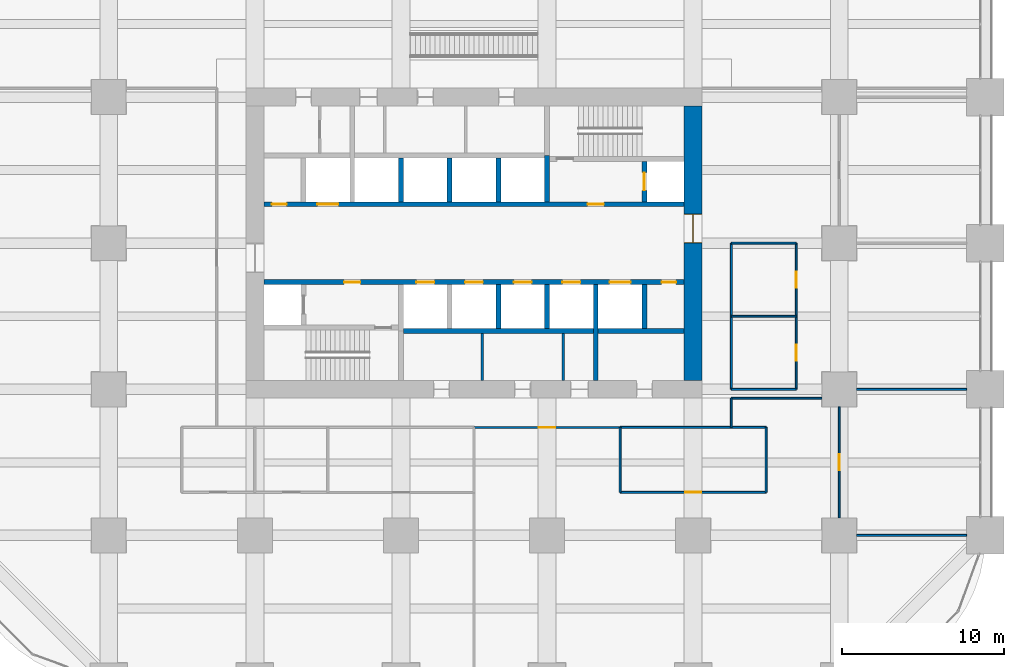
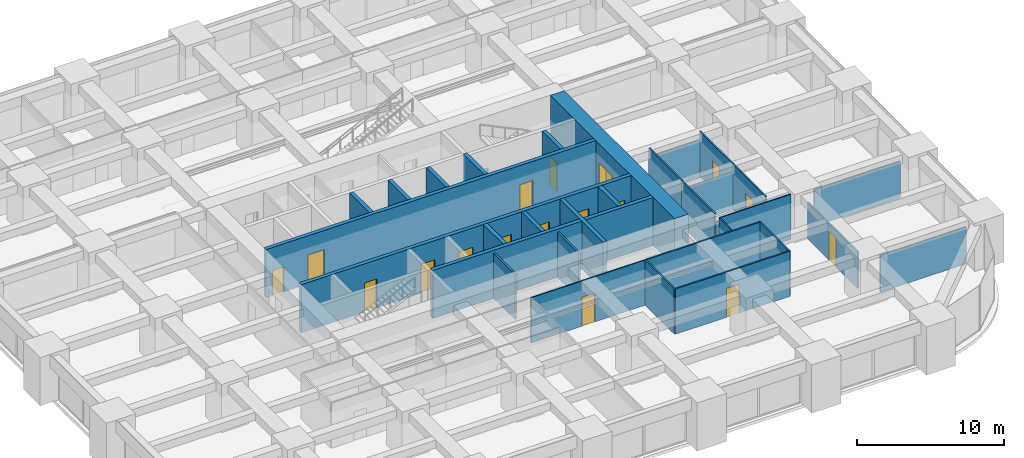
# One storey, part 40 of 44: 32 walls, 17 doors, 17 openings.
"""IFC4 building model written with IfcOpenShell, lengths in metres."""

from ifc_helpers import new_model, si_unit, direction, frame, frame_2d, origin, place, context, subcontext, project, spatial, rectangle, extrude, material, layer, layer_set, type_object, element, fill, save


model = new_model("IFC4")

# Units and contexts
model_context = context("Model", 3, precision=1e-05, world=origin(), true_north=direction((0.0, 1.0)))
body_context = subcontext(model_context, "Body", "Model", "MODEL_VIEW")
ifc_project = project(units=[si_unit("LENGTHUNIT", "METRE"), si_unit("AREAUNIT", "SQUARE_METRE"), si_unit("VOLUMEUNIT", "CUBIC_METRE"), si_unit("PLANEANGLEUNIT", "RADIAN"), si_unit("MASSUNIT", "GRAM", prefix="KILO")], contexts=[model_context])

# Site, building, storey
site_placement = place(None, origin())
site = spatial("IfcSite", under=ifc_project, at=site_placement, CompositionType="ELEMENT")
building_placement = place(site_placement, origin())
building = spatial("IfcBuilding", under=site, at=building_placement, Name="Zorevar Civic Tower", CompositionType="ELEMENT")
storey_placement = place(building_placement, frame((0.0, 0.0, 59.800048828125)))
storey = spatial("IfcBuildingStorey", under=building, at=storey_placement, Name="L14", CompositionType="ELEMENT", Elevation=59.800048828125)

# Wall, opening, door
ifc_material_1 = material(Name="Concrete C50/60", Category="concrete")
ifc_layer_1 = layer(ifc_material_1, 1.10009765625)
ifc_layer_set_1 = layer_set([ifc_layer_1], Name="Core wall 1100")
wall_type_1 = type_object("IfcWallType", Name="Core wall 1100", PredefinedType="SHEAR", material=ifc_layer_set_1)
wall_1_placement = place(storey_placement, frame((45.0, 18.550048828125, 0.0), z_axis=(0.0, 0.0, 1.0), x_axis=(0.0, 1.0, 0.0)))
wall_1 = element("IfcWall", 1, at=wall_1_placement, inside=storey, type_object=wall_type_1, Name="Core wall E L14", PredefinedType="SHEAR", context=body_context, shape_type="SweptSolid", body=[
    extrude(rectangle(XDim=16.89990234375, YDim=1.10009765625, at=frame_2d((8.449951171875, 0.0))), origin(), (0.0, 0.0, 1.0), 4.0),
])
opening_1_placement = place(wall_1_placement, frame((8.449951171875, 0.0, 0.0)))
opening_1 = element("IfcOpeningElement", 2, at=opening_1_placement, cuts=wall_1, Name="Opening L14.02", PredefinedType="OPENING", context=body_context, shape_type="SweptSolid", body=[
    extrude(rectangle(XDim=1.800048828125, YDim=2.39990234375, at=frame_2d((0.89990234375, 1.199951171875))), frame((0.0, 0.56005859375, 0.0), z_axis=(0.0, -1.0, 0.0), x_axis=(1.0, 0.0, 0.0)), (0.0, 0.0, 1.0), 1.1201171875),
])
ifc_material_2 = material(Name="Steel door set", Category="steel")
door_type_1 = type_object("IfcDoorType", Name="Fire door FD2 1800x2400", OperationType="DOUBLE_DOOR_DOUBLE_SWING", PredefinedType="DOOR", material=ifc_material_2)
door_1_placement = place(opening_1_placement, origin())
door_1 = element("IfcDoor", 3, at=door_1_placement, inside=storey, type_object=door_type_1, Name="Door L14 01", OperationType="DOUBLE_DOOR_DOUBLE_SWING", OverallHeight=2.39990234375, OverallWidth=1.800048828125, PredefinedType="DOOR", context=body_context, shape_type="SweptSolid", body=[
    extrude(rectangle(XDim=1.800048828125, YDim=2.39990234375, at=frame_2d((0.89990234375, 1.199951171875))), frame((0.0, 0.030029296875, 0.0), z_axis=(0.0, -1.0, 0.0), x_axis=(1.0, 0.0, 0.0)), (0.0, 0.0, 1.0), 0.06005859375),
    extrude(rectangle(XDim=0.04, YDim=2.39990234375, at=frame_2d((0.02001953125, 1.199951171875))), frame((0.0, 0.5498046875, 0.0), z_axis=(0.0, -1.0, 0.0), x_axis=(1.0, 0.0, 0.0)), (0.0, 0.0, 1.0), 1.099609375),
    extrude(rectangle(XDim=0.04, YDim=2.39990234375, at=frame_2d((1.780029296875, 1.199951171875))), frame((0.0, 0.5498046875, 0.0), z_axis=(0.0, -1.0, 0.0), x_axis=(1.0, 0.0, 0.0)), (0.0, 0.0, 1.0), 1.099609375),
    extrude(rectangle(XDim=1.800048828125, YDim=0.04, at=frame_2d((0.89990234375, 2.3798828125))), frame((0.0, 0.5498046875, 0.0), z_axis=(0.0, -1.0, 0.0), x_axis=(1.0, 0.0, 0.0)), (0.0, 0.0, 1.0), 1.099609375),
])
fill(opening_1, door_1)

ifc_material_3 = material(Name="Laminated glass in black aluminium frame", Category="aluminium")
ifc_layer_2 = layer(ifc_material_3, 0.10009765625)
ifc_layer_set_2 = layer_set([ifc_layer_2], Name="Glazed partition 100")
wall_type_2 = type_object("IfcWallType", Name="Glazed partition 100", PredefinedType="PARTITIONING", material=ifc_layer_set_2)
wall_2_placement = place(storey_placement, frame((31.5, 15.64990234375, 0.0), z_axis=(0.0, 0.0, 1.0), x_axis=(1.0, 0.0, 0.0)))
wall_2 = element("IfcWall", 4, at=wall_2_placement, inside=storey, type_object=wall_type_2, Name="Glazed partition 100 L14", PredefinedType="PARTITIONING", context=body_context, shape_type="SweptSolid", body=[
    extrude(rectangle(XDim=9.0, YDim=0.10009765625, at=frame_2d((4.5, 0.0))), origin(), (0.0, 0.0, 1.0), 3.75),
])
opening_2_placement = place(wall_2_placement, frame((4.0, 0.0, 0.0)))
opening_2 = element("IfcOpeningElement", 5, at=opening_2_placement, cuts=wall_2, Name="Opening L14.21", PredefinedType="OPENING", context=body_context, shape_type="SweptSolid", body=[
    extrude(rectangle(XDim=1.0, YDim=2.39990234375, at=frame_2d((0.5, 1.199951171875))), frame((0.0, 0.06005859375, 0.0), z_axis=(0.0, -1.0, 0.0), x_axis=(1.0, 0.0, 0.0)), (0.0, 0.0, 1.0), 0.1201171875),
])
ifc_material_4 = material(Name="Timber door set", Category="wood")
door_type_2 = type_object("IfcDoorType", Name="Glazed door GD1 1000x2400", OperationType="SINGLE_SWING_LEFT", PredefinedType="DOOR", material=ifc_material_4)
door_2_placement = place(opening_2_placement, origin())
door_2 = element("IfcDoor", 6, at=door_2_placement, inside=storey, type_object=door_type_2, Name="Door L14 D1", OperationType="SINGLE_SWING_LEFT", OverallHeight=2.39990234375, OverallWidth=1.0, PredefinedType="DOOR", context=body_context, shape_type="SweptSolid", body=[
    extrude(rectangle(XDim=1.0, YDim=2.39990234375, at=frame_2d((0.5, 1.199951171875))), frame((0.0, 0.02001953125, 0.0), z_axis=(0.0, -1.0, 0.0), x_axis=(1.0, 0.0, 0.0)), (0.0, 0.0, 1.0), 0.0400390625),
])
fill(opening_2, door_2)

# Walls
wall_3_placement = place(storey_placement, frame((47.35009765625, 17.449951171875, 0.0), z_axis=(0.0, 0.0, 1.0), x_axis=(1.0, 0.0, 0.0)))
element("IfcWall", 7, at=wall_3_placement, inside=storey, type_object=wall_type_2, Name="Glazed partition 100 L14", PredefinedType="PARTITIONING", context=body_context, shape_type="SweptSolid", body=[
    extrude(rectangle(XDim=5.574951171875, YDim=0.10009765625, at=frame_2d((2.78759765625, 0.0))), origin(), (0.0, 0.0, 1.0), 3.75),
])
wall_4_placement = place(storey_placement, frame((47.35009765625, 15.64990234375, 0.0), z_axis=(0.0, 0.0, 1.0), x_axis=(0.0, 1.0, 0.0)))
element("IfcWall", 8, at=wall_4_placement, inside=storey, type_object=wall_type_2, Name="Glazed partition 100 L14", PredefinedType="PARTITIONING", context=body_context, shape_type="SweptSolid", body=[
    extrude(rectangle(XDim=1.800048828125, YDim=0.10009765625, at=frame_2d((0.89990234375, 0.0))), origin(), (0.0, 0.0, 1.0), 3.75),
])

# Wall, opening, door
ifc_material_5 = material(Name="Concrete C40/50", Category="concrete")
ifc_layer_3 = layer(ifc_material_5, 0.300048828125)
ifc_layer_set_3 = layer_set([ifc_layer_3], Name="Inner core wall 300")
wall_type_3 = type_object("IfcWallType", Name="Inner core wall 300", PredefinedType="SHEAR", material=ifc_layer_set_3)
wall_5_placement = place(storey_placement, frame((42.0, 29.550048828125, 0.0), z_axis=(0.0, 0.0, 1.0), x_axis=(0.0, 1.0, 0.0)))
wall_5 = element("IfcWall", 9, at=wall_5_placement, inside=storey, type_object=wall_type_3, Name="Inner core wall N02 L14", PredefinedType="SHEAR", context=body_context, shape_type="SweptSolid", body=[
    extrude(rectangle(XDim=2.5, YDim=0.300048828125, at=frame_2d((1.25, 0.0))), origin(), (0.0, 0.0, 1.0), 4.0),
])
opening_3_placement = place(wall_5_placement, frame((0.699951171875, 0.0, 0.0)))
opening_3 = element("IfcOpeningElement", 10, at=opening_3_placement, cuts=wall_5, Name="Opening L14.FL2", PredefinedType="OPENING", context=body_context, shape_type="SweptSolid", body=[
    extrude(rectangle(XDim=1.10009765625, YDim=2.39990234375, at=frame_2d((0.550048828125, 1.199951171875))), frame((0.0, 0.159912109375, 0.0), z_axis=(0.0, -1.0, 0.0), x_axis=(1.0, 0.0, 0.0)), (0.0, 0.0, 1.0), 0.320068359375),
])
ifc_material_6 = material(Name="Steel door set", Category="steel")
door_type_3 = type_object("IfcDoorType", Name="Firefighting lift landing door LD3 1100x2400", OperationType="DOUBLE_DOOR_SLIDING", PredefinedType="DOOR", material=ifc_material_6)
door_3_placement = place(opening_3_placement, origin())
door_3 = element("IfcDoor", 11, at=door_3_placement, inside=storey, type_object=door_type_3, Name="Landing door FL2 L14", OperationType="DOUBLE_DOOR_SLIDING", OverallHeight=2.39990234375, OverallWidth=1.10009765625, PredefinedType="DOOR", context=body_context, shape_type="SweptSolid", body=[
    extrude(rectangle(XDim=1.10009765625, YDim=2.39990234375, at=frame_2d((0.550048828125, 1.199951171875))), frame((0.0, 0.030029296875, 0.0), z_axis=(0.0, -1.0, 0.0), x_axis=(1.0, 0.0, 0.0)), (0.0, 0.0, 1.0), 0.06005859375),
])
fill(opening_3, door_3)

# Wall, openings, doors
wall_6_placement = place(storey_placement, frame((18.550048828125, 24.60009765625, 0.0), z_axis=(0.0, 0.0, 1.0), x_axis=(1.0, 0.0, 0.0)))
wall_6 = element("IfcWall", 12, at=wall_6_placement, inside=storey, type_object=wall_type_3, Name="Inner core wall S03 L14", PredefinedType="SHEAR", context=body_context, shape_type="SweptSolid", body=[
    extrude(rectangle(XDim=25.89990234375, YDim=0.300048828125, at=frame_2d((12.949951171875, 0.0))), origin(), (0.0, 0.0, 1.0), 4.0),
])
opening_4_placement = place(wall_6_placement, frame((4.949951171875, 0.0, 0.0)))
opening_4 = element("IfcOpeningElement", 13, at=opening_4_placement, cuts=wall_6, Name="Opening L14.13", PredefinedType="OPENING", context=body_context, shape_type="SweptSolid", body=[
    extrude(rectangle(XDim=1.0, YDim=2.39990234375, at=frame_2d((0.5, 1.199951171875))), frame((0.0, 0.159912109375, 0.0), z_axis=(0.0, -1.0, 0.0), x_axis=(1.0, 0.0, 0.0)), (0.0, 0.0, 1.0), 0.320068359375),
])
opening_5_placement = place(wall_6_placement, frame((24.5, 0.0, 0.0)))
opening_5 = element("IfcOpeningElement", 14, at=opening_5_placement, cuts=wall_6, Name="Opening L14.15", PredefinedType="OPENING", context=body_context, shape_type="SweptSolid", body=[
    extrude(rectangle(XDim=0.89990234375, YDim=2.10009765625, at=frame_2d((0.449951171875, 1.050048828125))), frame((0.0, 0.159912109375, 0.0), z_axis=(0.0, -1.0, 0.0), x_axis=(1.0, 0.0, 0.0)), (0.0, 0.0, 1.0), 0.320068359375),
])
opening_6_placement = place(wall_6_placement, frame((9.39990234375, 0.0, 0.0)))
opening_6 = element("IfcOpeningElement", 15, at=opening_6_placement, cuts=wall_6, Name="Opening L14.LP1", PredefinedType="OPENING", context=body_context, shape_type="SweptSolid", body=[
    extrude(rectangle(XDim=1.10009765625, YDim=2.39990234375, at=frame_2d((0.550048828125, 1.199951171875))), frame((0.0, 0.159912109375, 0.0), z_axis=(0.0, -1.0, 0.0), x_axis=(1.0, 0.0, 0.0)), (0.0, 0.0, 1.0), 0.320068359375),
])
opening_7_placement = place(wall_6_placement, frame((12.39990234375, 0.0, 0.0)))
opening_7 = element("IfcOpeningElement", 16, at=opening_7_placement, cuts=wall_6, Name="Opening L14.LP2", PredefinedType="OPENING", context=body_context, shape_type="SweptSolid", body=[
    extrude(rectangle(XDim=1.10009765625, YDim=2.39990234375, at=frame_2d((0.550048828125, 1.199951171875))), frame((0.0, 0.159912109375, 0.0), z_axis=(0.0, -1.0, 0.0), x_axis=(1.0, 0.0, 0.0)), (0.0, 0.0, 1.0), 0.320068359375),
])
opening_8_placement = place(wall_6_placement, frame((15.39990234375, 0.0, 0.0)))
opening_8 = element("IfcOpeningElement", 17, at=opening_8_placement, cuts=wall_6, Name="Opening L14.LP3", PredefinedType="OPENING", context=body_context, shape_type="SweptSolid", body=[
    extrude(rectangle(XDim=1.10009765625, YDim=2.39990234375, at=frame_2d((0.550048828125, 1.199951171875))), frame((0.0, 0.159912109375, 0.0), z_axis=(0.0, -1.0, 0.0), x_axis=(1.0, 0.0, 0.0)), (0.0, 0.0, 1.0), 0.320068359375),
])
opening_9_placement = place(wall_6_placement, frame((18.39990234375, 0.0, 0.0)))
opening_9 = element("IfcOpeningElement", 18, at=opening_9_placement, cuts=wall_6, Name="Opening L14.LP4", PredefinedType="OPENING", context=body_context, shape_type="SweptSolid", body=[
    extrude(rectangle(XDim=1.10009765625, YDim=2.39990234375, at=frame_2d((0.550048828125, 1.199951171875))), frame((0.0, 0.159912109375, 0.0), z_axis=(0.0, -1.0, 0.0), x_axis=(1.0, 0.0, 0.0)), (0.0, 0.0, 1.0), 0.320068359375),
])
opening_10_placement = place(wall_6_placement, frame((21.300048828125, 0.0, 0.0)))
opening_10 = element("IfcOpeningElement", 19, at=opening_10_placement, cuts=wall_6, Name="Opening L14.SL1", PredefinedType="OPENING", context=body_context, shape_type="SweptSolid", body=[
    extrude(rectangle(XDim=1.300048828125, YDim=2.39990234375, at=frame_2d((0.64990234375, 1.199951171875))), frame((0.0, 0.159912109375, 0.0), z_axis=(0.0, -1.0, 0.0), x_axis=(1.0, 0.0, 0.0)), (0.0, 0.0, 1.0), 0.320068359375),
])
ifc_material_7 = material(Name="Steel door set", Category="steel")
door_type_4 = type_object("IfcDoorType", Name="Fire door FD1 1000x2400", OperationType="SINGLE_SWING_LEFT", PredefinedType="DOOR", material=ifc_material_7)
door_4_placement = place(opening_4_placement, origin())
door_4 = element("IfcDoor", 20, at=door_4_placement, inside=storey, type_object=door_type_4, Name="Door L14 12", OperationType="SINGLE_SWING_RIGHT", OverallHeight=2.39990234375, OverallWidth=1.0, PredefinedType="DOOR", context=body_context, shape_type="SweptSolid", body=[
    extrude(rectangle(XDim=1.0, YDim=2.39990234375, at=frame_2d((0.5, 1.199951171875))), frame((0.0, 0.030029296875, 0.0), z_axis=(0.0, -1.0, 0.0), x_axis=(1.0, 0.0, 0.0)), (0.0, 0.0, 1.0), 0.06005859375),
])
fill(opening_4, door_4)
ifc_material_8 = material(Name="Steel door set", Category="steel")
door_type_5 = type_object("IfcDoorType", Name="Landing door LD1 1100x2400", OperationType="DOUBLE_DOOR_SLIDING", PredefinedType="DOOR", material=ifc_material_8)
door_5_placement = place(opening_6_placement, origin())
door_5 = element("IfcDoor", 21, at=door_5_placement, inside=storey, type_object=door_type_5, Name="Landing door LP1 L14", OperationType="DOUBLE_DOOR_SLIDING", OverallHeight=2.39990234375, OverallWidth=1.10009765625, PredefinedType="DOOR", context=body_context, shape_type="SweptSolid", body=[
    extrude(rectangle(XDim=1.10009765625, YDim=2.39990234375, at=frame_2d((0.550048828125, 1.199951171875))), frame((0.0, 0.02001953125, 0.0), z_axis=(0.0, -1.0, 0.0), x_axis=(1.0, 0.0, 0.0)), (0.0, 0.0, 1.0), 0.0400390625),
])
fill(opening_6, door_5)
door_6_placement = place(opening_7_placement, origin())
door_6 = element("IfcDoor", 22, at=door_6_placement, inside=storey, type_object=door_type_5, Name="Landing door LP2 L14", OperationType="DOUBLE_DOOR_SLIDING", OverallHeight=2.39990234375, OverallWidth=1.10009765625, PredefinedType="DOOR", context=body_context, shape_type="SweptSolid", body=[
    extrude(rectangle(XDim=1.10009765625, YDim=2.39990234375, at=frame_2d((0.550048828125, 1.199951171875))), frame((0.0, 0.02001953125, 0.0), z_axis=(0.0, -1.0, 0.0), x_axis=(1.0, 0.0, 0.0)), (0.0, 0.0, 1.0), 0.0400390625),
])
fill(opening_7, door_6)
door_7_placement = place(opening_8_placement, origin())
door_7 = element("IfcDoor", 23, at=door_7_placement, inside=storey, type_object=door_type_5, Name="Landing door LP3 L14", OperationType="DOUBLE_DOOR_SLIDING", OverallHeight=2.39990234375, OverallWidth=1.10009765625, PredefinedType="DOOR", context=body_context, shape_type="SweptSolid", body=[
    extrude(rectangle(XDim=1.10009765625, YDim=2.39990234375, at=frame_2d((0.550048828125, 1.199951171875))), frame((0.0, 0.02001953125, 0.0), z_axis=(0.0, -1.0, 0.0), x_axis=(1.0, 0.0, 0.0)), (0.0, 0.0, 1.0), 0.0400390625),
])
fill(opening_8, door_7)
door_8_placement = place(opening_9_placement, origin())
door_8 = element("IfcDoor", 24, at=door_8_placement, inside=storey, type_object=door_type_5, Name="Landing door LP4 L14", OperationType="DOUBLE_DOOR_SLIDING", OverallHeight=2.39990234375, OverallWidth=1.10009765625, PredefinedType="DOOR", context=body_context, shape_type="SweptSolid", body=[
    extrude(rectangle(XDim=1.10009765625, YDim=2.39990234375, at=frame_2d((0.550048828125, 1.199951171875))), frame((0.0, 0.02001953125, 0.0), z_axis=(0.0, -1.0, 0.0), x_axis=(1.0, 0.0, 0.0)), (0.0, 0.0, 1.0), 0.0400390625),
])
fill(opening_9, door_8)
ifc_material_9 = material(Name="Steel door set", Category="steel")
door_type_6 = type_object("IfcDoorType", Name="Landing door LD2 1300x2400", OperationType="DOUBLE_DOOR_SLIDING", PredefinedType="DOOR", material=ifc_material_9)
door_9_placement = place(opening_10_placement, origin())
door_9 = element("IfcDoor", 25, at=door_9_placement, inside=storey, type_object=door_type_6, Name="Landing door SL1 L14", OperationType="DOUBLE_DOOR_SLIDING", OverallHeight=2.39990234375, OverallWidth=1.300048828125, PredefinedType="DOOR", context=body_context, shape_type="SweptSolid", body=[
    extrude(rectangle(XDim=1.300048828125, YDim=2.39990234375, at=frame_2d((0.64990234375, 1.199951171875))), frame((0.0, 0.02001953125, 0.0), z_axis=(0.0, -1.0, 0.0), x_axis=(1.0, 0.0, 0.0)), (0.0, 0.0, 1.0), 0.0400390625),
])
fill(opening_10, door_9)
ifc_material_10 = material(Name="Steel door set", Category="steel")
door_type_7 = type_object("IfcDoorType", Name="Riser door RD1 900x2100", OperationType="SINGLE_SWING_LEFT", PredefinedType="DOOR", material=ifc_material_10)
door_10_placement = place(opening_5_placement, origin())
door_10 = element("IfcDoor", 26, at=door_10_placement, inside=storey, type_object=door_type_7, Name="Door L14 14", OperationType="SINGLE_SWING_RIGHT", OverallHeight=2.10009765625, OverallWidth=0.89990234375, PredefinedType="DOOR", context=body_context, shape_type="SweptSolid", body=[
    extrude(rectangle(XDim=0.89990234375, YDim=2.10009765625, at=frame_2d((0.449951171875, 1.050048828125))), frame((0.0, 0.030029296875, 0.0), z_axis=(0.0, -1.0, 0.0), x_axis=(1.0, 0.0, 0.0)), (0.0, 0.0, 1.0), 0.06005859375),
])
fill(opening_5, door_10)

wall_7_placement = place(storey_placement, frame((18.550048828125, 29.39990234375, 0.0), z_axis=(0.0, 0.0, 1.0), x_axis=(1.0, 0.0, 0.0)))
wall_7 = element("IfcWall", 27, at=wall_7_placement, inside=storey, type_object=wall_type_3, Name="Inner core wall N03 L14", PredefinedType="SHEAR", context=body_context, shape_type="SweptSolid", body=[
    extrude(rectangle(XDim=25.89990234375, YDim=0.300048828125, at=frame_2d((12.949951171875, 0.0))), origin(), (0.0, 0.0, 1.0), 4.0),
])
opening_11_placement = place(wall_7_placement, frame((19.949951171875, 0.0, 0.0)))
opening_11 = element("IfcOpeningElement", 28, at=opening_11_placement, cuts=wall_7, Name="Opening L14.14", PredefinedType="OPENING", context=body_context, shape_type="SweptSolid", body=[
    extrude(rectangle(XDim=1.0, YDim=2.39990234375, at=frame_2d((0.5, 1.199951171875))), frame((0.0, 0.159912109375, 0.0), z_axis=(0.0, -1.0, 0.0), x_axis=(1.0, 0.0, 0.0)), (0.0, 0.0, 1.0), 0.320068359375),
])
opening_12_placement = place(wall_7_placement, frame((0.5, 0.0, 0.0)))
opening_12 = element("IfcOpeningElement", 29, at=opening_12_placement, cuts=wall_7, Name="Opening L14.16", PredefinedType="OPENING", context=body_context, shape_type="SweptSolid", body=[
    extrude(rectangle(XDim=0.89990234375, YDim=2.10009765625, at=frame_2d((0.449951171875, 1.050048828125))), frame((0.0, 0.159912109375, 0.0), z_axis=(0.0, -1.0, 0.0), x_axis=(1.0, 0.0, 0.0)), (0.0, 0.0, 1.0), 0.320068359375),
])
opening_13_placement = place(wall_7_placement, frame((3.300048828125, 0.0, 0.0)))
opening_13 = element("IfcOpeningElement", 30, at=opening_13_placement, cuts=wall_7, Name="Opening L14.SL2", PredefinedType="OPENING", context=body_context, shape_type="SweptSolid", body=[
    extrude(rectangle(XDim=1.300048828125, YDim=2.39990234375, at=frame_2d((0.64990234375, 1.199951171875))), frame((0.0, 0.159912109375, 0.0), z_axis=(0.0, -1.0, 0.0), x_axis=(1.0, 0.0, 0.0)), (0.0, 0.0, 1.0), 0.320068359375),
])
door_11_placement = place(opening_11_placement, origin())
door_11 = element("IfcDoor", 31, at=door_11_placement, inside=storey, type_object=door_type_4, Name="Door L14 13", OperationType="SINGLE_SWING_RIGHT", OverallHeight=2.39990234375, OverallWidth=1.0, PredefinedType="DOOR", context=body_context, shape_type="SweptSolid", body=[
    extrude(rectangle(XDim=1.0, YDim=2.39990234375, at=frame_2d((0.5, 1.199951171875))), frame((0.0, 0.030029296875, 0.0), z_axis=(0.0, -1.0, 0.0), x_axis=(1.0, 0.0, 0.0)), (0.0, 0.0, 1.0), 0.06005859375),
])
fill(opening_11, door_11)
door_12_placement = place(opening_13_placement, origin())
door_12 = element("IfcDoor", 32, at=door_12_placement, inside=storey, type_object=door_type_6, Name="Landing door SL2 L14", OperationType="DOUBLE_DOOR_SLIDING", OverallHeight=2.39990234375, OverallWidth=1.300048828125, PredefinedType="DOOR", context=body_context, shape_type="SweptSolid", body=[
    extrude(rectangle(XDim=1.300048828125, YDim=2.39990234375, at=frame_2d((0.64990234375, 1.199951171875))), frame((0.0, 0.02001953125, 0.0), z_axis=(0.0, -1.0, 0.0), x_axis=(1.0, 0.0, 0.0)), (0.0, 0.0, 1.0), 0.0400390625),
])
fill(opening_13, door_12)
door_13_placement = place(opening_12_placement, origin())
door_13 = element("IfcDoor", 33, at=door_13_placement, inside=storey, type_object=door_type_7, Name="Door L14 15", OperationType="SINGLE_SWING_RIGHT", OverallHeight=2.10009765625, OverallWidth=0.89990234375, PredefinedType="DOOR", context=body_context, shape_type="SweptSolid", body=[
    extrude(rectangle(XDim=0.89990234375, YDim=2.10009765625, at=frame_2d((0.449951171875, 1.050048828125))), frame((0.0, 0.030029296875, 0.0), z_axis=(0.0, -1.0, 0.0), x_axis=(1.0, 0.0, 0.0)), (0.0, 0.0, 1.0), 0.06005859375),
])
fill(opening_12, door_13)

# Walls
wall_8_placement = place(storey_placement, frame((27.14990234375, 21.60009765625, 0.0), z_axis=(0.0, 0.0, 1.0), x_axis=(1.0, 0.0, 0.0)))
element("IfcWall", 34, at=wall_8_placement, inside=storey, type_object=wall_type_3, Name="Inner core wall S04 L14", PredefinedType="SHEAR", context=body_context, shape_type="SweptSolid", body=[
    extrude(rectangle(XDim=17.300048828125, YDim=0.300048828125, at=frame_2d((8.64990234375, 0.0))), origin(), (0.0, 0.0, 1.0), 4.0),
])
for number, where, z_axis, x_axis, name in (
    (35, (33.0, 29.550048828125, 0.0), (0.0, 0.0, 1.0), (0.0, 1.0, 0.0), "Inner core wall N05 L14"),
    (36, (33.0, 21.75, 0.0), (0.0, 0.0, 1.0), (0.0, 1.0, 0.0), "Inner core wall S06 L14"),
    (37, (30.0, 29.550048828125, 0.0), (0.0, 0.0, 1.0), (0.0, 1.0, 0.0), "Inner core wall N06 L14"),
    (38, (36.0, 21.75, 0.0), (0.0, 0.0, 1.0), (0.0, 1.0, 0.0), "Inner core wall S07 L14"),
    (39, (27.0, 29.550048828125, 0.0), (0.0, 0.0, 1.0), (0.0, 1.0, 0.0), "Inner core wall N07 L14"),
):
    element("IfcWall", number, at=place(storey_placement, frame(where, z_axis=z_axis, x_axis=x_axis)), inside=storey, type_object=wall_type_3, Name=name, PredefinedType="SHEAR", context=body_context, shape_type="SweptSolid", body=[
        extrude(rectangle(XDim=2.699951171875, YDim=0.300048828125, at=frame_2d((1.35009765625, 0.0))), origin(), (0.0, 0.0, 1.0), 4.0),
    ])
wall_9_placement = place(storey_placement, frame((39.0, 18.550048828125, 0.0), z_axis=(0.0, 0.0, 1.0), x_axis=(0.0, 1.0, 0.0)))
element("IfcWall", 40, at=wall_9_placement, inside=storey, type_object=wall_type_3, Name="Inner core wall S08 L14", PredefinedType="SHEAR", context=body_context, shape_type="SweptSolid", body=[
    extrude(rectangle(XDim=5.89990234375, YDim=0.300048828125, at=frame_2d((2.949951171875, 0.0))), origin(), (0.0, 0.0, 1.0), 4.0),
])
wall_10_placement = place(storey_placement, frame((42.0, 21.75, 0.0), z_axis=(0.0, 0.0, 1.0), x_axis=(0.0, 1.0, 0.0)))
element("IfcWall", 41, at=wall_10_placement, inside=storey, type_object=wall_type_3, Name="Inner core wall S09 L14", PredefinedType="SHEAR", context=body_context, shape_type="SweptSolid", body=[
    extrude(rectangle(XDim=2.699951171875, YDim=0.300048828125, at=frame_2d((1.35009765625, 0.0))), origin(), (0.0, 0.0, 1.0), 4.0),
])
wall_11_placement = place(storey_placement, frame((36.0, 29.550048828125, 0.0), z_axis=(0.0, 0.0, 1.0), x_axis=(0.0, 1.0, 0.0)))
element("IfcWall", 42, at=wall_11_placement, inside=storey, type_object=wall_type_3, Name="Inner core wall N10 L14", PredefinedType="SHEAR", context=body_context, shape_type="SweptSolid", body=[
    extrude(rectangle(XDim=2.849853515625, YDim=0.300048828125, at=frame_2d((1.4248046875, 0.0))), origin(), (0.0, 0.0, 1.0), 4.0),
])
ifc_material_11 = material(Name="Gypsum board on steel studs", Category="steel")
ifc_layer_4 = layer(ifc_material_11, 0.1201171875)
ifc_layer_set_4 = layer_set([ifc_layer_4], Name="Partition 120")
wall_type_4 = type_object("IfcWallType", Name="Partition 120", PredefinedType="PARTITIONING", material=ifc_layer_set_4)
wall_12_placement = place(storey_placement, frame((55.074951171875, 9.0, 0.0), z_axis=(0.0, 0.0, 1.0), x_axis=(1.0, 0.0, 0.0)))
element("IfcWall", 43, at=wall_12_placement, inside=storey, type_object=wall_type_4, Name="Partition 120 L14", PredefinedType="PARTITIONING", context=body_context, shape_type="SweptSolid", body=[
    extrude(rectangle(XDim=6.775146484375, YDim=0.1201171875, at=frame_2d((3.3876953125, 0.0))), origin(), (0.0, 0.0, 1.0), 3.050048828125),
])

# Wall, opening, door
wall_13_placement = place(storey_placement, frame((40.5, 11.64990234375, 0.0), z_axis=(0.0, 0.0, 1.0), x_axis=(1.0, 0.0, 0.0)))
wall_13 = element("IfcWall", 44, at=wall_13_placement, inside=storey, type_object=wall_type_4, Name="Partition 120 L14", PredefinedType="PARTITIONING", context=body_context, shape_type="SweptSolid", body=[
    extrude(rectangle(XDim=9.0, YDim=0.1201171875, at=frame_2d((4.5, 0.0))), origin(), (0.0, 0.0, 1.0), 3.75),
])
opening_14_placement = place(wall_13_placement, frame((4.0, 0.0, 0.0)))
opening_14 = element("IfcOpeningElement", 45, at=opening_14_placement, cuts=wall_13, Name="Opening L14.19", PredefinedType="OPENING", context=body_context, shape_type="SweptSolid", body=[
    extrude(rectangle(XDim=1.0, YDim=2.39990234375, at=frame_2d((0.5, 1.199951171875))), frame((0.0, 0.070068359375, 0.0), z_axis=(0.0, -1.0, 0.0), x_axis=(1.0, 0.0, 0.0)), (0.0, 0.0, 1.0), 0.14013671875),
])
ifc_material_12 = material(Name="Timber door set", Category="wood")
door_type_8 = type_object("IfcDoorType", Name="Door D1 1000x2400", OperationType="SINGLE_SWING_LEFT", PredefinedType="DOOR", material=ifc_material_12)
door_14_placement = place(opening_14_placement, origin())
door_14 = element("IfcDoor", 46, at=door_14_placement, inside=storey, type_object=door_type_8, Name="Door L14 D1", OperationType="SINGLE_SWING_RIGHT", OverallHeight=2.39990234375, OverallWidth=1.0, PredefinedType="DOOR", context=body_context, shape_type="SweptSolid", body=[
    extrude(rectangle(XDim=1.0, YDim=2.39990234375, at=frame_2d((0.5, 1.199951171875))), frame((0.0, 0.02490234375, 0.0), z_axis=(0.0, -1.0, 0.0), x_axis=(1.0, 0.0, 0.0)), (0.0, 0.0, 1.0), 0.050048828125),
])
fill(opening_14, door_14)

# Walls
wall_14_placement = place(storey_placement, frame((40.5, 15.64990234375, 0.0), z_axis=(0.0, 0.0, 1.0), x_axis=(1.0, 0.0, 0.0)))
element("IfcWall", 47, at=wall_14_placement, inside=storey, type_object=wall_type_4, Name="Partition 120 L14", PredefinedType="PARTITIONING", context=body_context, shape_type="SweptSolid", body=[
    extrude(rectangle(XDim=9.0, YDim=0.1201171875, at=frame_2d((4.5, 0.0))), origin(), (0.0, 0.0, 1.0), 3.75),
])
wall_15_placement = place(storey_placement, frame((47.35009765625, 18.0, 0.0), z_axis=(0.0, 0.0, 1.0), x_axis=(1.0, 0.0, 0.0)))
element("IfcWall", 48, at=wall_15_placement, inside=storey, type_object=wall_type_4, Name="Partition 120 L14", PredefinedType="PARTITIONING", context=body_context, shape_type="SweptSolid", body=[
    extrude(rectangle(XDim=4.0, YDim=0.1201171875, at=frame_2d((2.0, 0.0))), origin(), (0.0, 0.0, 1.0), 3.050048828125),
])
wall_16_placement = place(storey_placement, frame((55.074951171875, 18.0, 0.0), z_axis=(0.0, 0.0, 1.0), x_axis=(1.0, 0.0, 0.0)))
element("IfcWall", 49, at=wall_16_placement, inside=storey, type_object=wall_type_4, Name="Partition 120 L14", PredefinedType="PARTITIONING", context=body_context, shape_type="SweptSolid", body=[
    extrude(rectangle(XDim=6.775146484375, YDim=0.1201171875, at=frame_2d((3.3876953125, 0.0))), origin(), (0.0, 0.0, 1.0), 3.050048828125),
])
wall_17_placement = place(storey_placement, frame((47.35009765625, 22.5, 0.0), z_axis=(0.0, 0.0, 1.0), x_axis=(1.0, 0.0, 0.0)))
element("IfcWall", 50, at=wall_17_placement, inside=storey, type_object=wall_type_4, Name="Partition 120 L14", PredefinedType="PARTITIONING", context=body_context, shape_type="SweptSolid", body=[
    extrude(rectangle(XDim=4.0, YDim=0.1201171875, at=frame_2d((2.0, 0.0))), origin(), (0.0, 0.0, 1.0), 3.099853515625),
])
wall_18_placement = place(storey_placement, frame((47.35009765625, 27.0, 0.0), z_axis=(0.0, 0.0, 1.0), x_axis=(1.0, 0.0, 0.0)))
element("IfcWall", 51, at=wall_18_placement, inside=storey, type_object=wall_type_4, Name="Partition 120 L14", PredefinedType="PARTITIONING", context=body_context, shape_type="SweptSolid", body=[
    extrude(rectangle(XDim=4.0, YDim=0.1201171875, at=frame_2d((2.0, 0.0))), origin(), (0.0, 0.0, 1.0), 3.050048828125),
])
wall_19_placement = place(storey_placement, frame((40.5, 11.64990234375, 0.0), z_axis=(0.0, 0.0, 1.0), x_axis=(0.0, 1.0, 0.0)))
element("IfcWall", 52, at=wall_19_placement, inside=storey, type_object=wall_type_4, Name="Partition 120 L14", PredefinedType="PARTITIONING", context=body_context, shape_type="SweptSolid", body=[
    extrude(rectangle(XDim=4.0, YDim=0.1201171875, at=frame_2d((2.0, 0.0))), origin(), (0.0, 0.0, 1.0), 3.75),
])
for number, where, z_axis, x_axis, name in (
    (53, (47.35009765625, 18.0, 0.0), (0.0, 0.0, 1.0), (0.0, 1.0, 0.0), "Partition 120 L14"),
    (54, (47.35009765625, 22.5, 0.0), (0.0, 0.0, 1.0), (0.0, 1.0, 0.0), "Partition 120 L14"),
):
    element("IfcWall", number, at=place(storey_placement, frame(where, z_axis=z_axis, x_axis=x_axis)), inside=storey, type_object=wall_type_4, Name=name, PredefinedType="PARTITIONING", context=body_context, shape_type="SweptSolid", body=[
        extrude(rectangle(XDim=4.5, YDim=0.1201171875, at=frame_2d((2.25, 0.0))), origin(), (0.0, 0.0, 1.0), 3.75),
    ])
wall_20_placement = place(storey_placement, frame((49.5, 11.64990234375, 0.0), z_axis=(0.0, 0.0, 1.0), x_axis=(0.0, 1.0, 0.0)))
element("IfcWall", 55, at=wall_20_placement, inside=storey, type_object=wall_type_4, Name="Partition 120 L14", PredefinedType="PARTITIONING", context=body_context, shape_type="SweptSolid", body=[
    extrude(rectangle(XDim=4.0, YDim=0.1201171875, at=frame_2d((2.0, 0.0))), origin(), (0.0, 0.0, 1.0), 3.75),
])

# Wall, opening, door
wall_21_placement = place(storey_placement, frame((51.35009765625, 18.0, 0.0), z_axis=(0.0, 0.0, 1.0), x_axis=(0.0, 1.0, 0.0)))
wall_21 = element("IfcWall", 56, at=wall_21_placement, inside=storey, type_object=wall_type_4, Name="Partition 120 L14", PredefinedType="PARTITIONING", context=body_context, shape_type="SweptSolid", body=[
    extrude(rectangle(XDim=4.5, YDim=0.1201171875, at=frame_2d((2.25, 0.0))), origin(), (0.0, 0.0, 1.0), 3.75),
])
opening_15_placement = place(wall_21_placement, frame((1.75, 0.0, 0.0)))
opening_15 = element("IfcOpeningElement", 57, at=opening_15_placement, cuts=wall_21, Name="Opening L14.33", PredefinedType="OPENING", context=body_context, shape_type="SweptSolid", body=[
    extrude(rectangle(XDim=1.0, YDim=2.39990234375, at=frame_2d((0.5, 1.199951171875))), frame((0.0, 0.070068359375, 0.0), z_axis=(0.0, -1.0, 0.0), x_axis=(1.0, 0.0, 0.0)), (0.0, 0.0, 1.0), 0.14013671875),
])
door_15_placement = place(opening_15_placement, origin())
door_15 = element("IfcDoor", 58, at=door_15_placement, inside=storey, type_object=door_type_8, Name="Door L14 D1", OperationType="SINGLE_SWING_LEFT", OverallHeight=2.39990234375, OverallWidth=1.0, PredefinedType="DOOR", context=body_context, shape_type="SweptSolid", body=[
    extrude(rectangle(XDim=1.0, YDim=2.39990234375, at=frame_2d((0.5, 1.199951171875))), frame((0.0, 0.02490234375, 0.0), z_axis=(0.0, -1.0, 0.0), x_axis=(1.0, 0.0, 0.0)), (0.0, 0.0, 1.0), 0.050048828125),
])
fill(opening_15, door_15)

wall_22_placement = place(storey_placement, frame((51.35009765625, 22.5, 0.0), z_axis=(0.0, 0.0, 1.0), x_axis=(0.0, 1.0, 0.0)))
wall_22 = element("IfcWall", 59, at=wall_22_placement, inside=storey, type_object=wall_type_4, Name="Partition 120 L14", PredefinedType="PARTITIONING", context=body_context, shape_type="SweptSolid", body=[
    extrude(rectangle(XDim=4.5, YDim=0.1201171875, at=frame_2d((2.25, 0.0))), origin(), (0.0, 0.0, 1.0), 3.75),
])
opening_16_placement = place(wall_22_placement, frame((1.75, 0.0, 0.0)))
opening_16 = element("IfcOpeningElement", 60, at=opening_16_placement, cuts=wall_22, Name="Opening L14.34", PredefinedType="OPENING", context=body_context, shape_type="SweptSolid", body=[
    extrude(rectangle(XDim=1.0, YDim=2.39990234375, at=frame_2d((0.5, 1.199951171875))), frame((0.0, 0.070068359375, 0.0), z_axis=(0.0, -1.0, 0.0), x_axis=(1.0, 0.0, 0.0)), (0.0, 0.0, 1.0), 0.14013671875),
])
door_16_placement = place(opening_16_placement, origin())
door_16 = element("IfcDoor", 61, at=door_16_placement, inside=storey, type_object=door_type_8, Name="Door L14 D1", OperationType="SINGLE_SWING_LEFT", OverallHeight=2.39990234375, OverallWidth=1.0, PredefinedType="DOOR", context=body_context, shape_type="SweptSolid", body=[
    extrude(rectangle(XDim=1.0, YDim=2.39990234375, at=frame_2d((0.5, 1.199951171875))), frame((0.0, 0.02490234375, 0.0), z_axis=(0.0, -1.0, 0.0), x_axis=(1.0, 0.0, 0.0)), (0.0, 0.0, 1.0), 0.050048828125),
])
fill(opening_16, door_16)

wall_23_placement = place(storey_placement, frame((54.0, 10.074951171875, 0.0), z_axis=(0.0, 0.0, 1.0), x_axis=(0.0, 1.0, 0.0)))
wall_23 = element("IfcWall", 62, at=wall_23_placement, inside=storey, type_object=wall_type_4, Name="Partition 120 L14", PredefinedType="PARTITIONING", context=body_context, shape_type="SweptSolid", body=[
    extrude(rectangle(XDim=6.85009765625, YDim=0.1201171875, at=frame_2d((3.425048828125, 0.0))), origin(), (0.0, 0.0, 1.0), 3.050048828125),
])
opening_17_placement = place(wall_23_placement, frame((2.925048828125, 0.0, 0.0)))
opening_17 = element("IfcOpeningElement", 63, at=opening_17_placement, cuts=wall_23, Name="Opening L14.35", PredefinedType="OPENING", context=body_context, shape_type="SweptSolid", body=[
    extrude(rectangle(XDim=1.0, YDim=2.39990234375, at=frame_2d((0.5, 1.199951171875))), frame((0.0, 0.070068359375, 0.0), z_axis=(0.0, -1.0, 0.0), x_axis=(1.0, 0.0, 0.0)), (0.0, 0.0, 1.0), 0.14013671875),
])
door_17_placement = place(opening_17_placement, origin())
door_17 = element("IfcDoor", 64, at=door_17_placement, inside=storey, type_object=door_type_8, Name="Door L14 D1", OperationType="SINGLE_SWING_RIGHT", OverallHeight=2.39990234375, OverallWidth=1.0, PredefinedType="DOOR", context=body_context, shape_type="SweptSolid", body=[
    extrude(rectangle(XDim=1.0, YDim=2.39990234375, at=frame_2d((0.5, 1.199951171875))), frame((0.0, 0.02490234375, 0.0), z_axis=(0.0, -1.0, 0.0), x_axis=(1.0, 0.0, 0.0)), (0.0, 0.0, 1.0), 0.050048828125),
])
fill(opening_17, door_17)

# Walls
ifc_material_13 = material(Name="Gypsum board on steel studs, moisture resistant", Category="steel")
ifc_layer_5 = layer(ifc_material_13, 0.14990234375)
ifc_layer_set_5 = layer_set([ifc_layer_5], Name="WC partition 150")
wall_type_5 = type_object("IfcWallType", Name="WC partition 150", PredefinedType="PARTITIONING", material=ifc_layer_set_5)
for number, where, z_axis, x_axis, name in (
    (65, (32.0, 18.550048828125, 0.0), (0.0, 0.0, 1.0), (0.0, 1.0, 0.0), "WC partition L14"),
    (66, (37.0, 18.550048828125, 0.0), (0.0, 0.0, 1.0), (0.0, 1.0, 0.0), "WC partition L14"),
):
    element("IfcWall", number, at=place(storey_placement, frame(where, z_axis=z_axis, x_axis=x_axis)), inside=storey, type_object=wall_type_5, Name=name, PredefinedType="PARTITIONING", context=body_context, shape_type="SweptSolid", body=[
        extrude(rectangle(XDim=2.89990234375, YDim=0.14990234375, at=frame_2d((1.449951171875, 0.0))), origin(), (0.0, 0.0, 1.0), 3.75),
    ])

save(model, "model.ifc")
